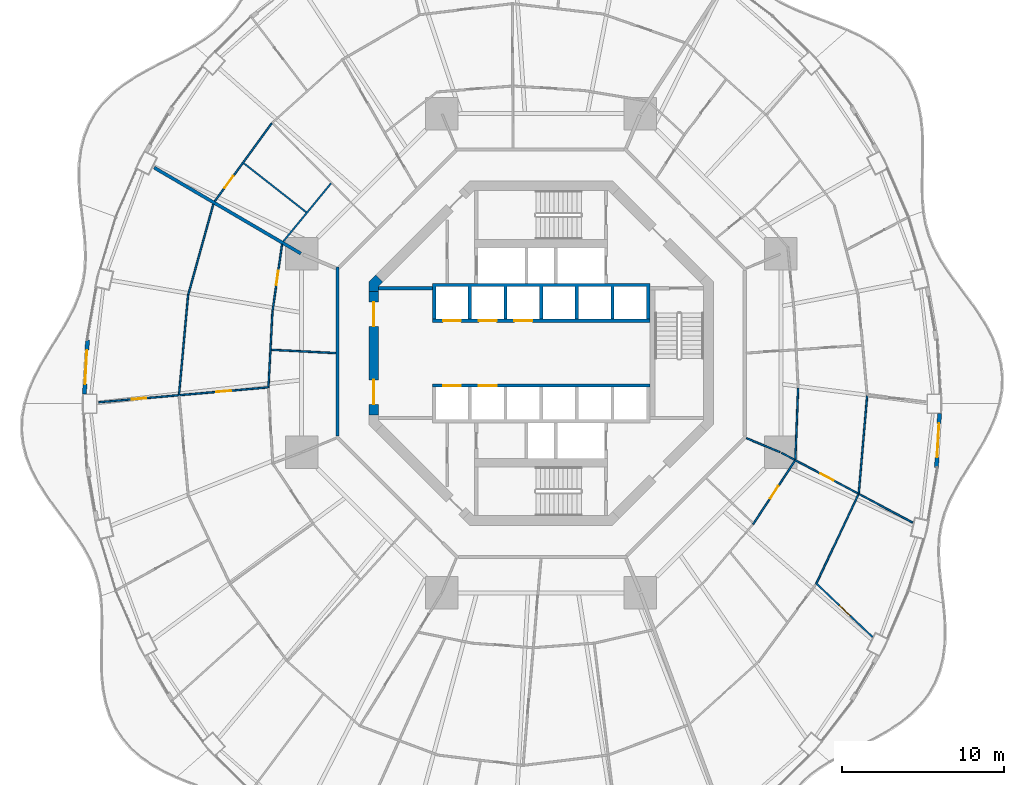
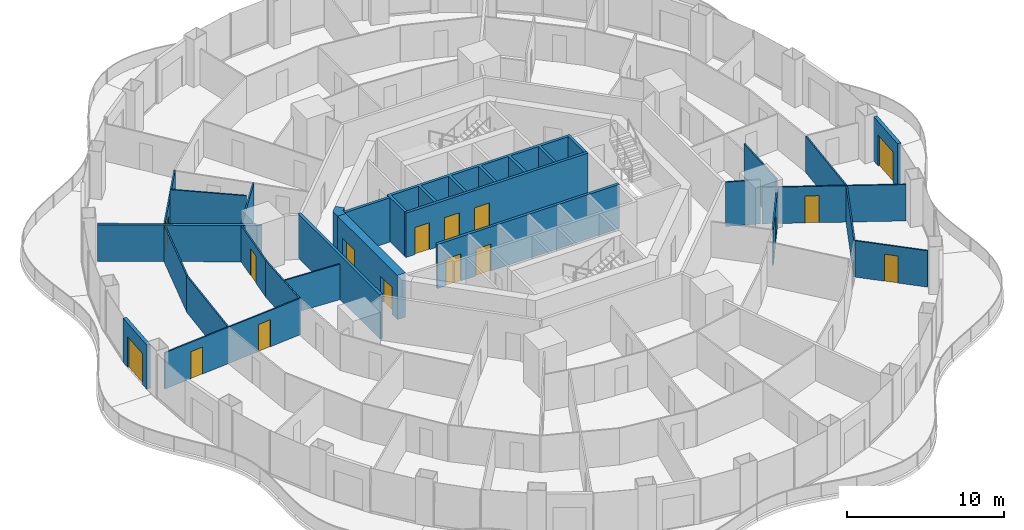
# One storey, part 14 of 20: 26 walls, 16 doors, 16 openings.
"""IFC4 building model written with IfcOpenShell, lengths in metres."""

from ifc_helpers import new_model, si_unit, direction, frame, frame_2d, origin, place, context, subcontext, project, spatial, polyline, rectangle, outline, extrude, material, layer, layer_set, type_object, element, fill, save


model = new_model("IFC4")

# Units and contexts
model_context = context("Model", 3, precision=1e-05, world=origin(), true_north=direction((0.0, 1.0)))
body_context = subcontext(model_context, "Body", "Model", "MODEL_VIEW")
ifc_project = project(units=[si_unit("LENGTHUNIT", "METRE"), si_unit("AREAUNIT", "SQUARE_METRE"), si_unit("VOLUMEUNIT", "CUBIC_METRE"), si_unit("PLANEANGLEUNIT", "RADIAN"), si_unit("MASSUNIT", "GRAM", prefix="KILO")], contexts=[model_context])

# Site, building, storey
site_placement = place(None, origin())
site = spatial("IfcSite", under=ifc_project, at=site_placement, CompositionType="ELEMENT")
building_placement = place(site_placement, origin())
building = spatial("IfcBuilding", under=site, at=building_placement, Name="Nagisa Residences", CompositionType="ELEMENT")
storey_placement = place(building_placement, frame((0.0, 0.0, 123.300048828125)))
storey = spatial("IfcBuildingStorey", under=building, at=storey_placement, Name="L30", CompositionType="ELEMENT", Elevation=123.300048828125)

# Walls
ifc_material_1 = material(Name="Gypsum board on steel studs", Category="steel")
ifc_layer_1 = layer(ifc_material_1, 0.199951171875)
ifc_layer_set_1 = layer_set([ifc_layer_1], Name="Apartment compartment wall EI60 200")
wall_type_1 = type_object("IfcWallType", Name="Apartment compartment wall EI60 200", PredefinedType="PARTITIONING", material=ifc_layer_set_1)
wall_1_placement = place(storey_placement, frame((-14.8251953125, 6.148193359375, 0.0), z_axis=(0.0, 0.0, 1.0), x_axis=(-0.862852031662, 0.505456597006, 0.0)))
element("IfcWall", 1, at=wall_1_placement, inside=storey, type_object=wall_type_1, Name="wall:L30:u03", PredefinedType="PARTITIONING", context=body_context, shape_type="SweptSolid", body=[
    extrude(rectangle(XDim=10.487060546875, YDim=0.199951171875, at=frame_2d((5.24365234375, 0.0))), origin(), (0.0, 0.0, 1.0), 2.827880859375),
])
ifc_material_2 = material(Name="Gypsum board on steel studs", Category="steel")
ifc_layer_2 = layer(ifc_material_2, 0.199951171875)
ifc_layer_set_2 = layer_set([ifc_layer_2], Name="Apartment entry wall EI60 200")
wall_type_2 = type_object("IfcWallType", Name="Apartment entry wall EI60 200", PredefinedType="PARTITIONING", material=ifc_layer_set_2)
wall_2_placement = place(storey_placement, frame((-12.564697265625, 5.304443359375, 0.0), z_axis=(0.0, 0.0, 1.0), x_axis=(0.0, -1.0, 0.0)))
element("IfcWall", 2, at=wall_2_placement, inside=storey, type_object=wall_type_2, Name="wall:L30:u10", PredefinedType="PARTITIONING", context=body_context, shape_type="SweptSolid", body=[
    extrude(rectangle(XDim=10.408935546875, YDim=0.199951171875, at=frame_2d((5.20458984375, 0.0))), origin(), (0.0, 0.0, 1.0), 3.43994140625),
])
ifc_material_3 = material(Name="Gypsum board on steel studs", Category="steel")
ifc_layer_3 = layer(ifc_material_3, 0.10009765625)
ifc_layer_set_3 = layer_set([ifc_layer_3], Name="Apartment partition 100")
wall_type_3 = type_object("IfcWallType", Name="Apartment partition 100", PredefinedType="PARTITIONING", material=ifc_layer_set_3)
wall_3_placement = place(storey_placement, frame((15.848876953125, -2.158203125, 0.0), z_axis=(0.0, 0.0, 1.0), x_axis=(-0.038390448414, -0.999262815014, 0.0)))
element("IfcWall", 3, at=wall_3_placement, inside=storey, type_object=wall_type_3, Name="wall:L30:u15", PredefinedType="PARTITIONING", context=body_context, shape_type="SweptSolid", body=[
    extrude(rectangle(XDim=4.394287109375, YDim=0.10009765625, at=frame_2d((2.197265625, 0.0))), origin(), (0.0, 0.0, 1.0), 3.43994140625),
])
wall_4_placement = place(storey_placement, frame((20.10595703125, -2.64208984375, 0.0), z_axis=(0.0, 0.0, 1.0), x_axis=(-0.085672025822, -0.996323393277, 0.0)))
element("IfcWall", 4, at=wall_4_placement, inside=storey, type_object=wall_type_3, Name="wall:L30:u18", PredefinedType="PARTITIONING", context=body_context, shape_type="SweptSolid", body=[
    extrude(rectangle(XDim=6.007080078125, YDim=0.10009765625, at=frame_2d((3.00341796875, 0.0))), origin(), (0.0, 0.0, 1.0), 2.827880859375),
])
wall_5_placement = place(storey_placement, frame((-12.965087890625, 10.474609375, 0.0), z_axis=(0.0, 0.0, 1.0), x_axis=(-0.634943961338, -0.772558195841, 0.0)))
element("IfcWall", 5, at=wall_5_placement, inside=storey, type_object=wall_type_3, Name="wall:L30:u49", PredefinedType="PARTITIONING", context=body_context, shape_type="SweptSolid", body=[
    extrude(rectangle(XDim=4.632080078125, YDim=0.10009765625, at=frame_2d((2.31591796875, 0.0))), origin(), (0.0, 0.0, 1.0), 2.827880859375),
])

# Wall, opening, door
wall_6_placement = place(storey_placement, frame((-16.620849609375, 14.17431640625, 0.0), z_axis=(0.0, 0.0, 1.0), x_axis=(-0.590674917338, -0.806909624449, 0.0)))
wall_6 = element("IfcWall", 6, at=wall_6_placement, inside=storey, type_object=wall_type_3, Name="wall:L30:u50", PredefinedType="PARTITIONING", context=body_context, shape_type="SweptSolid", body=[
    extrude(rectangle(XDim=5.948974609375, YDim=0.10009765625, at=frame_2d((2.974609375, 0.0))), origin(), (0.0, 0.0, 1.0), 2.827880859375),
])
opening_1_placement = place(wall_6_placement, frame((4.0244140625, 0.0, 0.0)))
opening_1 = element("IfcOpeningElement", 7, at=opening_1_placement, cuts=wall_6, Name="Opening L30-U11", PredefinedType="OPENING", context=body_context, shape_type="SweptSolid", body=[
    extrude(rectangle(XDim=0.89990234375, YDim=2.10009765625, at=frame_2d((0.449951171875, 1.050048828125))), frame((0.0, 0.06005859375, 0.0), z_axis=(0.0, -1.0, 0.0), x_axis=(1.0, 0.0, 0.0)), (0.0, 0.0, 1.0), 0.1201171875),
])
ifc_material_4 = material(Name="Timber door set", Category="wood")
door_type_1 = type_object("IfcDoorType", Name="Apartment door 900x2100", OperationType="NOTDEFINED", PredefinedType="DOOR", material=ifc_material_4)
door_1_placement = place(opening_1_placement, origin())
door_1 = element("IfcDoor", 8, at=door_1_placement, inside=storey, type_object=door_type_1, Name="Door to en-suite bathroom, Apartment 30A", OperationType="SINGLE_SWING_LEFT", OverallHeight=2.10009765625, OverallWidth=0.89990234375, PredefinedType="DOOR", context=body_context, shape_type="SweptSolid", body=[
    extrude(rectangle(XDim=0.89990234375, YDim=2.10009765625, at=frame_2d((0.449951171875, 1.050048828125))), frame((0.0, 0.02490234375, 0.0), z_axis=(0.0, -1.0, 0.0), x_axis=(1.0, 0.0, 0.0)), (0.0, 0.0, 1.0), 0.050048828125),
])
fill(opening_1, door_1)

# Wall
wall_7_placement = place(storey_placement, frame((-14.490966796875, 8.69677734375, 0.0), z_axis=(0.0, 0.0, 1.0), x_axis=(-0.787139479951, 0.616775031193, 0.0)))
element("IfcWall", 9, at=wall_7_placement, inside=storey, type_object=wall_type_3, Name="wall:L30:u51", PredefinedType="PARTITIONING", context=body_context, shape_type="SweptSolid", body=[
    extrude(rectangle(XDim=4.90673828125, YDim=0.10009765625, at=frame_2d((2.453369140625, 0.0))), origin(), (0.0, 0.0, 1.0), 3.43994140625),
])

# Wall, opening, door
wall_8_placement = place(storey_placement, frame((-15.98388671875, 6.7197265625, 0.0), z_axis=(0.0, 0.0, 1.0), x_axis=(-0.140684869512, -0.990054426529, 0.0)))
wall_8 = element("IfcWall", 10, at=wall_8_placement, inside=storey, type_object=wall_type_3, Name="wall:L30:u52", PredefinedType="PARTITIONING", context=body_context, shape_type="SweptSolid", body=[
    extrude(rectangle(XDim=4.177001953125, YDim=0.10009765625, at=frame_2d((2.08837890625, 0.0))), origin(), (0.0, 0.0, 1.0), 2.827880859375),
])
opening_2_placement = place(wall_8_placement, frame((1.638427734375, 0.0, 0.0)))
opening_2 = element("IfcOpeningElement", 11, at=opening_2_placement, cuts=wall_8, Name="Opening L30-U34", PredefinedType="OPENING", context=body_context, shape_type="SweptSolid", body=[
    extrude(rectangle(XDim=0.89990234375, YDim=2.10009765625, at=frame_2d((0.449951171875, 1.050048828125))), frame((0.0, 0.06005859375, 0.0), z_axis=(0.0, -1.0, 0.0), x_axis=(1.0, 0.0, 0.0)), (0.0, 0.0, 1.0), 0.1201171875),
])
door_2_placement = place(opening_2_placement, origin())
door_2 = element("IfcDoor", 12, at=door_2_placement, inside=storey, type_object=door_type_1, Name="Door to laundry, Apartment 30B", OperationType="SINGLE_SWING_RIGHT", OverallHeight=2.10009765625, OverallWidth=0.89990234375, PredefinedType="DOOR", context=body_context, shape_type="SweptSolid", body=[
    extrude(rectangle(XDim=0.89990234375, YDim=2.10009765625, at=frame_2d((0.449951171875, 1.050048828125))), frame((0.0, 0.02490234375, 0.0), z_axis=(0.0, -1.0, 0.0), x_axis=(1.0, 0.0, 0.0)), (0.0, 0.0, 1.0), 0.050048828125),
])
fill(opening_2, door_2)

# Walls
wall_9_placement = place(storey_placement, frame((-20.220703125, 9.19677734375, 0.0), z_axis=(0.0, 0.0, 1.0), x_axis=(-0.267398009191, -0.963586168789, 0.0)))
element("IfcWall", 13, at=wall_9_placement, inside=storey, type_object=wall_type_3, Name="wall:L30:u53", PredefinedType="PARTITIONING", context=body_context, shape_type="SweptSolid", body=[
    extrude(rectangle(XDim=5.78759765625, YDim=0.10009765625, at=frame_2d((2.893798828125, 0.0))), origin(), (0.0, 0.0, 1.0), 2.827880859375),
])
wall_10_placement = place(storey_placement, frame((-16.575927734375, 2.584716796875, 0.0), z_axis=(0.0, 0.0, 1.0), x_axis=(-0.052509224895, -0.998620439056, 0.0)))
element("IfcWall", 14, at=wall_10_placement, inside=storey, type_object=wall_type_3, Name="wall:L30:u54", PredefinedType="PARTITIONING", context=body_context, shape_type="SweptSolid", body=[
    extrude(rectangle(XDim=4.6494140625, YDim=0.10009765625, at=frame_2d((2.32470703125, 0.0))), origin(), (0.0, 0.0, 1.0), 2.827880859375),
])
wall_11_placement = place(storey_placement, frame((-21.777099609375, 3.621337890625, 0.0), z_axis=(0.0, 0.0, 1.0), x_axis=(-0.090606877484, -0.995886737412, 0.0)))
element("IfcWall", 15, at=wall_11_placement, inside=storey, type_object=wall_type_3, Name="wall:L30:u55", PredefinedType="PARTITIONING", context=body_context, shape_type="SweptSolid", body=[
    extrude(rectangle(XDim=6.189208984375, YDim=0.10009765625, at=frame_2d((3.0947265625, 0.0))), origin(), (0.0, 0.0, 1.0), 2.827880859375),
])
wall_12_placement = place(storey_placement, frame((-12.66455078125, 0.005126953125, 0.0), z_axis=(0.0, 0.0, 1.0), x_axis=(-0.998672861712, 0.051502575462, 0.0)))
element("IfcWall", 16, at=wall_12_placement, inside=storey, type_object=wall_type_3, Name="wall:L30:u56", PredefinedType="PARTITIONING", context=body_context, shape_type="SweptSolid", body=[
    extrude(rectangle(XDim=3.991455078125, YDim=0.10009765625, at=frame_2d((1.99560546875, 0.0))), origin(), (0.0, 0.0, 1.0), 2.755859375),
])

# Wall, openings, doors
wall_13_placement = place(storey_placement, frame((-16.77294921875, -2.103759765625, 0.0), z_axis=(0.0, 0.0, 1.0), x_axis=(-0.996176206701, -0.087366842701, 0.0)))
wall_13 = element("IfcWall", 17, at=wall_13_placement, inside=storey, type_object=wall_type_3, Name="wall:L30:u57", PredefinedType="PARTITIONING", context=body_context, shape_type="SweptSolid", body=[
    extrude(rectangle(XDim=10.56005859375, YDim=0.10009765625, at=frame_2d((5.280029296875, 0.0))), origin(), (0.0, 0.0, 1.0), 2.827880859375),
])
opening_3_placement = place(wall_13_placement, frame((2.370361328125, 0.0, 0.0)))
opening_3 = element("IfcOpeningElement", 18, at=opening_3_placement, cuts=wall_13, Name="Opening L30-U32", PredefinedType="OPENING", context=body_context, shape_type="SweptSolid", body=[
    extrude(rectangle(XDim=0.89990234375, YDim=2.10009765625, at=frame_2d((0.449951171875, 1.050048828125))), frame((0.0, 0.06005859375, 0.0), z_axis=(0.0, -1.0, 0.0), x_axis=(1.0, 0.0, 0.0)), (0.0, 0.0, 1.0), 0.1201171875),
])
opening_4_placement = place(wall_13_placement, frame((7.62548828125, 0.0, 0.0)))
opening_4 = element("IfcOpeningElement", 19, at=opening_4_placement, cuts=wall_13, Name="Opening L30-U33", PredefinedType="OPENING", context=body_context, shape_type="SweptSolid", body=[
    extrude(rectangle(XDim=0.89990234375, YDim=2.10009765625, at=frame_2d((0.449951171875, 1.050048828125))), frame((0.0, 0.06005859375, 0.0), z_axis=(0.0, -1.0, 0.0), x_axis=(1.0, 0.0, 0.0)), (0.0, 0.0, 1.0), 0.1201171875),
])
door_3_placement = place(opening_3_placement, frame((0.89990234375, 0.0, 0.0), x_axis=(-1.0, 0.0, 0.0)))
door_3 = element("IfcDoor", 20, at=door_3_placement, inside=storey, type_object=door_type_1, Name="Door to dining room, Apartment 30B", OperationType="SINGLE_SWING_LEFT", OverallHeight=2.10009765625, OverallWidth=0.89990234375, PredefinedType="DOOR", context=body_context, shape_type="SweptSolid", body=[
    extrude(rectangle(XDim=0.89990234375, YDim=2.10009765625, at=frame_2d((0.449951171875, 1.050048828125))), frame((0.0, 0.02490234375, 0.0), z_axis=(0.0, -1.0, 0.0), x_axis=(1.0, 0.0, 0.0)), (0.0, 0.0, 1.0), 0.050048828125),
])
fill(opening_3, door_3)
door_4_placement = place(opening_4_placement, frame((0.89990234375, 0.0, 0.0), x_axis=(-1.0, 0.0, 0.0)))
door_4 = element("IfcDoor", 21, at=door_4_placement, inside=storey, type_object=door_type_1, Name="Door to family room, Apartment 30B", OperationType="SINGLE_SWING_RIGHT", OverallHeight=2.10009765625, OverallWidth=0.89990234375, PredefinedType="DOOR", context=body_context, shape_type="SweptSolid", body=[
    extrude(rectangle(XDim=0.89990234375, YDim=2.10009765625, at=frame_2d((0.449951171875, 1.050048828125))), frame((0.0, 0.02490234375, 0.0), z_axis=(0.0, -1.0, 0.0), x_axis=(1.0, 0.0, 0.0)), (0.0, 0.0, 1.0), 0.050048828125),
])
fill(opening_4, door_4)

# Wall, opening, door
wall_14_placement = place(storey_placement, frame((13.072265625, -10.550048828125, 0.0), z_axis=(0.0, 0.0, 1.0), x_axis=(0.550614843759, 0.834759422727, 0.0)))
wall_14 = element("IfcWall", 22, at=wall_14_placement, inside=storey, type_object=wall_type_3, Name="wall:L30:u92", PredefinedType="PARTITIONING", context=body_context, shape_type="SweptSolid", body=[
    extrude(rectangle(XDim=4.6826171875, YDim=0.10009765625, at=frame_2d((2.34130859375, 0.0))), origin(), (0.0, 0.0, 1.0), 2.827880859375),
])
opening_5_placement = place(wall_14_placement, frame((1.91650390625, 0.0, 0.0)))
opening_5 = element("IfcOpeningElement", 23, at=opening_5_placement, cuts=wall_14, Name="Opening L30-U51", PredefinedType="OPENING", context=body_context, shape_type="SweptSolid", body=[
    extrude(rectangle(XDim=0.89990234375, YDim=2.10009765625, at=frame_2d((0.449951171875, 1.050048828125))), frame((0.0, 0.06005859375, 0.0), z_axis=(0.0, -1.0, 0.0), x_axis=(1.0, 0.0, 0.0)), (0.0, 0.0, 1.0), 0.1201171875),
])
door_5_placement = place(opening_5_placement, origin())
door_5 = element("IfcDoor", 24, at=door_5_placement, inside=storey, type_object=door_type_1, Name="Door to laundry, Apartment 30C", OperationType="SINGLE_SWING_LEFT", OverallHeight=2.10009765625, OverallWidth=0.89990234375, PredefinedType="DOOR", context=body_context, shape_type="SweptSolid", body=[
    extrude(rectangle(XDim=0.89990234375, YDim=2.10009765625, at=frame_2d((0.449951171875, 1.050048828125))), frame((0.0, 0.02490234375, 0.0), z_axis=(0.0, -1.0, 0.0), x_axis=(1.0, 0.0, 0.0)), (0.0, 0.0, 1.0), 0.050048828125),
])
fill(opening_5, door_5)

wall_15_placement = place(storey_placement, frame((17.010009765625, -14.238037109375, 0.0), z_axis=(0.0, 0.0, 1.0), x_axis=(0.723650186498, -0.690166941821, 0.0)))
wall_15 = element("IfcWall", 25, at=wall_15_placement, inside=storey, type_object=wall_type_3, Name="wall:L30:u93", PredefinedType="PARTITIONING", context=body_context, shape_type="SweptSolid", body=[
    extrude(rectangle(XDim=4.739501953125, YDim=0.10009765625, at=frame_2d((2.36962890625, 0.0))), origin(), (0.0, 0.0, 1.0), 2.827880859375),
])
opening_6_placement = place(wall_15_placement, frame((1.919677734375, 0.0, 0.0)))
opening_6 = element("IfcOpeningElement", 26, at=opening_6_placement, cuts=wall_15, Name="Opening L30-U49", PredefinedType="OPENING", context=body_context, shape_type="SweptSolid", body=[
    extrude(rectangle(XDim=0.89990234375, YDim=2.10009765625, at=frame_2d((0.449951171875, 1.050048828125))), frame((0.0, 0.06005859375, 0.0), z_axis=(0.0, -1.0, 0.0), x_axis=(1.0, 0.0, 0.0)), (0.0, 0.0, 1.0), 0.1201171875),
])
door_6_placement = place(opening_6_placement, origin())
door_6 = element("IfcDoor", 27, at=door_6_placement, inside=storey, type_object=door_type_1, Name="Door to master bedroom, Apartment 30C", OperationType="SINGLE_SWING_LEFT", OverallHeight=2.10009765625, OverallWidth=0.89990234375, PredefinedType="DOOR", context=body_context, shape_type="SweptSolid", body=[
    extrude(rectangle(XDim=0.89990234375, YDim=2.10009765625, at=frame_2d((0.449951171875, 1.050048828125))), frame((0.0, 0.02490234375, 0.0), z_axis=(0.0, -1.0, 0.0), x_axis=(1.0, 0.0, 0.0)), (0.0, 0.0, 1.0), 0.050048828125),
])
fill(opening_6, door_6)

# Walls
wall_16_placement = place(storey_placement, frame((16.95263671875, -14.24853515625, 0.0), z_axis=(0.0, 0.0, 1.0), x_axis=(0.427456178439, 0.904036069808, 0.0)))
element("IfcWall", 28, at=wall_16_placement, inside=storey, type_object=wall_type_3, Name="wall:L30:u94", PredefinedType="PARTITIONING", context=body_context, shape_type="SweptSolid", body=[
    extrude(rectangle(XDim=6.113037109375, YDim=0.10009765625, at=frame_2d((3.056640625, 0.0))), origin(), (0.0, 0.0, 1.0), 2.827880859375),
])
wall_17_placement = place(storey_placement, frame((12.6572265625, -5.24267578125, 0.0), z_axis=(0.0, 0.0, 1.0), x_axis=(0.923864733477, -0.382719158442, 0.0)))
element("IfcWall", 29, at=wall_17_placement, inside=storey, type_object=wall_type_3, Name="wall:L30:u95", PredefinedType="PARTITIONING", context=body_context, shape_type="SweptSolid", body=[
    extrude(rectangle(XDim=2.25, YDim=0.10009765625, at=frame_2d((1.125, 0.0))), origin(), (0.0, 0.0, 1.0), 3.43994140625),
])

# Wall, opening, door
wall_18_placement = place(storey_placement, frame((14.826171875, -6.146484375, 0.0), z_axis=(0.0, 0.0, 1.0), x_axis=(0.883012998471, -0.469348532044, 0.0)))
wall_18 = element("IfcWall", 30, at=wall_18_placement, inside=storey, type_object=wall_type_3, Name="wall:L30:u96", PredefinedType="PARTITIONING", context=body_context, shape_type="SweptSolid", body=[
    extrude(rectangle(XDim=9.172119140625, YDim=0.10009765625, at=frame_2d((4.5859375, 0.0))), origin(), (0.0, 0.0, 1.0), 2.827880859375),
])
opening_7_placement = place(wall_18_placement, frame((2.728271484375, 0.0, 0.0)))
opening_7 = element("IfcOpeningElement", 31, at=opening_7_placement, cuts=wall_18, Name="Opening L30-U47", PredefinedType="OPENING", context=body_context, shape_type="SweptSolid", body=[
    extrude(rectangle(XDim=0.89990234375, YDim=2.10009765625, at=frame_2d((0.449951171875, 1.050048828125))), frame((0.0, 0.06005859375, 0.0), z_axis=(0.0, -1.0, 0.0), x_axis=(1.0, 0.0, 0.0)), (0.0, 0.0, 1.0), 0.1201171875),
])
door_7_placement = place(opening_7_placement, frame((0.89990234375, 0.0, 0.0), x_axis=(-1.0, 0.0, 0.0)))
door_7 = element("IfcDoor", 32, at=door_7_placement, inside=storey, type_object=door_type_1, Name="Door to kitchen, Apartment 30C", OperationType="SINGLE_SWING_RIGHT", OverallHeight=2.10009765625, OverallWidth=0.89990234375, PredefinedType="DOOR", context=body_context, shape_type="SweptSolid", body=[
    extrude(rectangle(XDim=0.89990234375, YDim=2.10009765625, at=frame_2d((0.449951171875, 1.050048828125))), frame((0.0, 0.02490234375, 0.0), z_axis=(0.0, -1.0, 0.0), x_axis=(1.0, 0.0, 0.0)), (0.0, 0.0, 1.0), 0.050048828125),
])
fill(opening_7, door_7)

ifc_material_5 = material(Name="Precast concrete C40/50", Category="concrete")
ifc_layer_4 = layer(ifc_material_5, 0.25)
ifc_layer_set_4 = layer_set([ifc_layer_4], Name="BALCONY DOOR WALL 250")
wall_type_4 = type_object("IfcWallType", Name="BALCONY DOOR WALL 250", PredefinedType="SOLIDWALL", material=ifc_layer_set_4)
wall_19_placement = place(storey_placement, frame((-28.17578125, -2.52587890625, 0.0), z_axis=(0.0, 0.0, 1.0), x_axis=(0.057537829427, 0.998343326809, 0.0)))
wall_19 = element("IfcWall", 33, at=wall_19_placement, inside=storey, type_object=wall_type_4, Name="wall:L30:bay23", PredefinedType="SOLIDWALL", context=body_context, shape_type="SweptSolid", body=[
    extrude(rectangle(XDim=3.347900390625, YDim=0.25, at=frame_2d((1.673828125, 0.0))), origin(), (0.0, 0.0, 1.0), 3.43994140625),
])
opening_8_placement = place(wall_19_placement, frame((0.623779296875, 0.0, 0.0)))
opening_8 = element("IfcOpeningElement", 34, at=opening_8_placement, cuts=wall_19, Name="Opening BD-L30-08", PredefinedType="OPENING", context=body_context, shape_type="SweptSolid", body=[
    extrude(rectangle(XDim=2.10009765625, YDim=2.39990234375, at=frame_2d((1.050048828125, 1.199951171875))), frame((0.0, 0.135009765625, 0.0), z_axis=(0.0, -1.0, 0.0), x_axis=(1.0, 0.0, 0.0)), (0.0, 0.0, 1.0), 0.27001953125),
])
ifc_material_6 = material(Name="Aluminium and clear glass", Category="aluminium")
door_type_2 = type_object("IfcDoorType", Name="BALCONY SLIDING DOOR 2100x2400", OperationType="SLIDING_TO_LEFT", PredefinedType="DOOR", material=ifc_material_6)
door_8_placement = place(opening_8_placement, origin())
door_8 = element("IfcDoor", 35, at=door_8_placement, inside=storey, type_object=door_type_2, Name="door:L30:bay23", OperationType="SLIDING_TO_LEFT", OverallHeight=2.39990234375, OverallWidth=2.10009765625, PredefinedType="DOOR", context=body_context, shape_type="SweptSolid", body=[
    extrude(rectangle(XDim=2.10009765625, YDim=2.39990234375, at=frame_2d((1.050048828125, 1.199951171875))), frame((0.0, 0.02490234375, 0.0), z_axis=(0.0, -1.0, 0.0), x_axis=(1.0, 0.0, 0.0)), (0.0, 0.0, 1.0), 0.050048828125),
])
fill(opening_8, door_8)

wall_20_placement = place(storey_placement, frame((24.57568359375, -3.70947265625, 0.0), z_axis=(0.0, 0.0, 1.0), x_axis=(-0.05746514539, -0.998347513176, 0.0)))
wall_20 = element("IfcWall", 36, at=wall_20_placement, inside=storey, type_object=wall_type_4, Name="wall:L30:bay47", PredefinedType="SOLIDWALL", context=body_context, shape_type="SweptSolid", body=[
    extrude(rectangle(XDim=3.347900390625, YDim=0.25, at=frame_2d((1.673828125, 0.0))), origin(), (0.0, 0.0, 1.0), 3.43994140625),
])
opening_9_placement = place(wall_20_placement, frame((0.623779296875, 0.0, 0.0)))
opening_9 = element("IfcOpeningElement", 37, at=opening_9_placement, cuts=wall_20, Name="Opening BD-L30-16", PredefinedType="OPENING", context=body_context, shape_type="SweptSolid", body=[
    extrude(rectangle(XDim=2.10009765625, YDim=2.39990234375, at=frame_2d((1.050048828125, 1.199951171875))), frame((0.0, 0.135009765625, 0.0), z_axis=(0.0, -1.0, 0.0), x_axis=(1.0, 0.0, 0.0)), (0.0, 0.0, 1.0), 0.27001953125),
])
door_9_placement = place(opening_9_placement, origin())
door_9 = element("IfcDoor", 38, at=door_9_placement, inside=storey, type_object=door_type_2, Name="door:L30:bay47", OperationType="SLIDING_TO_LEFT", OverallHeight=2.39990234375, OverallWidth=2.10009765625, PredefinedType="DOOR", context=body_context, shape_type="SweptSolid", body=[
    extrude(rectangle(XDim=2.10009765625, YDim=2.39990234375, at=frame_2d((1.050048828125, 1.199951171875))), frame((0.0, 0.02490234375, 0.0), z_axis=(0.0, -1.0, 0.0), x_axis=(1.0, 0.0, 0.0)), (0.0, 0.0, 1.0), 0.050048828125),
])
fill(opening_9, door_9)

# Wall
ifc_material_7 = material(Name="Gypsum board on steel studs", Category="steel")
ifc_layer_5 = layer(ifc_material_7, 0.199951171875)
ifc_layer_set_5 = layer_set([ifc_layer_5], Name="Core partition 200")
wall_type_5 = type_object("IfcWallType", Name="Core partition 200", PredefinedType="PARTITIONING", material=ifc_layer_set_5)
wall_21_placement = place(storey_placement, frame((-10.024658203125, 4.0, 0.0), z_axis=(0.0, 0.0, 1.0), x_axis=(1.0, 0.0, 0.0)))
element("IfcWall", 39, at=wall_21_placement, inside=storey, type_object=wall_type_5, Name="wall:L30:PNW", PredefinedType="PARTITIONING", context=body_context, shape_type="SweptSolid", body=[
    extrude(rectangle(XDim=3.32470703125, YDim=0.199951171875, at=frame_2d((1.662353515625, 0.0))), origin(), (0.0, 0.0, 1.0), 3.43994140625),
])

# Wall, openings, doors
ifc_material_8 = material(Name="Concrete C60", Category="concrete")
ifc_layer_6 = layer(ifc_material_8, 0.60009765625)
ifc_layer_set_6 = layer_set([ifc_layer_6], Name="Core shear wall 600")
wall_type_6 = type_object("IfcWallType", Name="Core shear wall 600", PredefinedType="SHEAR", material=ifc_layer_set_6)
wall_22_placement = place(storey_placement, frame((-10.32470703125, 3.80078125, 0.0), z_axis=(0.0, 0.0, 1.0), x_axis=(0.0, -1.0, 0.0)))
wall_22 = element("IfcWall", 40, at=wall_22_placement, inside=storey, type_object=wall_type_6, Name="wall:L30:core:flat4", PredefinedType="SHEAR", context=body_context, shape_type="SweptSolid", body=[
    extrude(rectangle(XDim=7.6015625, YDim=0.60009765625, at=frame_2d((3.80078125, 0.0))), origin(), (0.0, 0.0, 1.0), 3.43994140625),
])
opening_10_placement = place(wall_22_placement, frame((0.65087890625, 0.0, 0.0)))
opening_10 = element("IfcOpeningElement", 41, at=opening_10_placement, cuts=wall_22, Name="Opening L30-C17", PredefinedType="OPENING", context=body_context, shape_type="SweptSolid", body=[
    extrude(rectangle(XDim=1.5, YDim=2.10009765625, at=frame_2d((0.75, 1.050048828125))), frame((0.0, 0.31005859375, 0.0), z_axis=(0.0, -1.0, 0.0), x_axis=(1.0, 0.0, 0.0)), (0.0, 0.0, 1.0), 0.6201171875),
])
opening_11_placement = place(wall_22_placement, frame((5.450927734375, 0.0, 0.0)))
opening_11 = element("IfcOpeningElement", 42, at=opening_11_placement, cuts=wall_22, Name="Opening L30-C18", PredefinedType="OPENING", context=body_context, shape_type="SweptSolid", body=[
    extrude(rectangle(XDim=1.5, YDim=2.10009765625, at=frame_2d((0.75, 1.050048828125))), frame((0.0, 0.31005859375, 0.0), z_axis=(0.0, -1.0, 0.0), x_axis=(1.0, 0.0, 0.0)), (0.0, 0.0, 1.0), 0.6201171875),
])
ifc_material_9 = material(Name="Steel fire door", Category="steel")
door_type_3 = type_object("IfcDoorType", Name="Fire door EI60 1500x2100 double door single swing", OperationType="DOUBLE_DOOR_SINGLE_SWING", PredefinedType="DOOR", material=ifc_material_9)
door_10_placement = place(opening_10_placement, origin())
door_10 = element("IfcDoor", 43, at=door_10_placement, inside=storey, type_object=door_type_3, Name="Lift lobby door L30 1", OperationType="DOUBLE_DOOR_SINGLE_SWING", OverallHeight=2.10009765625, OverallWidth=1.5, PredefinedType="DOOR", context=body_context, shape_type="SweptSolid", body=[
    extrude(rectangle(XDim=1.5, YDim=2.10009765625, at=frame_2d((0.75, 1.050048828125))), frame((0.0, 0.02490234375, 0.0), z_axis=(0.0, -1.0, 0.0), x_axis=(1.0, 0.0, 0.0)), (0.0, 0.0, 1.0), 0.050048828125),
])
fill(opening_10, door_10)
door_11_placement = place(opening_11_placement, origin())
door_11 = element("IfcDoor", 44, at=door_11_placement, inside=storey, type_object=door_type_3, Name="Lift lobby door L30 2", OperationType="DOUBLE_DOOR_SINGLE_SWING", OverallHeight=2.10009765625, OverallWidth=1.5, PredefinedType="DOOR", context=body_context, shape_type="SweptSolid", body=[
    extrude(rectangle(XDim=1.5, YDim=2.10009765625, at=frame_2d((0.75, 1.050048828125))), frame((0.0, 0.02490234375, 0.0), z_axis=(0.0, -1.0, 0.0), x_axis=(1.0, 0.0, 0.0)), (0.0, 0.0, 1.0), 0.050048828125),
])
fill(opening_11, door_11)

# Wall
wall_23_placement = place(storey_placement, origin())
element("IfcWall", 45, at=wall_23_placement, inside=storey, type_object=wall_type_6, Name="wall:L30:core:pier3", PredefinedType="SHEAR", context=body_context, shape_type="SweptSolid", body=[
    extrude(outline(polyline([(-10.200439453125, 4.8251953125), (-9.776123046875, 4.40087890625), (-10.024658203125, 4.15234375), (-10.024658203125, 3.80078125), (-10.62451171875, 3.80078125), (-10.62451171875, 4.40087890625), (-10.200439453125, 4.8251953125)])), origin(), (0.0, 0.0, 1.0), 3.43994140625),
])

# Wall, openings, doors
ifc_material_10 = material(Name="Concrete C60", Category="concrete")
ifc_layer_7 = layer(ifc_material_10, 0.199951171875)
ifc_layer_set_7 = layer_set([ifc_layer_7], Name="Lift shaft wall 200")
wall_type_7 = type_object("IfcWallType", Name="Lift shaft wall 200", PredefinedType="SOLIDWALL", material=ifc_layer_set_7)
wall_24_placement = place(storey_placement, frame((-6.699951171875, 2.0, 0.0), z_axis=(0.0, 0.0, 1.0), x_axis=(1.0, 0.0, 0.0)))
wall_24 = element("IfcWall", 46, at=wall_24_placement, inside=storey, type_object=wall_type_7, Name="wall:L30:Nfront", PredefinedType="SOLIDWALL", context=body_context, shape_type="SweptSolid", body=[
    extrude(rectangle(XDim=13.39990234375, YDim=0.199951171875, at=frame_2d((6.699951171875, 0.0))), origin(), (0.0, 0.0, 1.0), 3.43994140625),
])
opening_12_placement = place(wall_24_placement, frame((0.64990234375, 0.0, 0.0)))
opening_12 = element("IfcOpeningElement", 47, at=opening_12_placement, cuts=wall_24, Name="Opening L30-C01", PredefinedType="OPENING", context=body_context, shape_type="SweptSolid", body=[
    extrude(rectangle(XDim=1.10009765625, YDim=2.10009765625, at=frame_2d((0.550048828125, 1.050048828125))), frame((0.0, 0.10986328125, 0.0), z_axis=(0.0, -1.0, 0.0), x_axis=(1.0, 0.0, 0.0)), (0.0, 0.0, 1.0), 0.219970703125),
])
opening_13_placement = place(wall_24_placement, frame((2.85009765625, 0.0, 0.0)))
opening_13 = element("IfcOpeningElement", 48, at=opening_13_placement, cuts=wall_24, Name="Opening L30-C02", PredefinedType="OPENING", context=body_context, shape_type="SweptSolid", body=[
    extrude(rectangle(XDim=1.10009765625, YDim=2.10009765625, at=frame_2d((0.550048828125, 1.050048828125))), frame((0.0, 0.10986328125, 0.0), z_axis=(0.0, -1.0, 0.0), x_axis=(1.0, 0.0, 0.0)), (0.0, 0.0, 1.0), 0.219970703125),
])
opening_14_placement = place(wall_24_placement, frame((5.050048828125, 0.0, 0.0)))
opening_14 = element("IfcOpeningElement", 49, at=opening_14_placement, cuts=wall_24, Name="Opening L30-C03", PredefinedType="OPENING", context=body_context, shape_type="SweptSolid", body=[
    extrude(rectangle(XDim=1.10009765625, YDim=2.10009765625, at=frame_2d((0.550048828125, 1.050048828125))), frame((0.0, 0.10986328125, 0.0), z_axis=(0.0, -1.0, 0.0), x_axis=(1.0, 0.0, 0.0)), (0.0, 0.0, 1.0), 0.219970703125),
])
ifc_material_11 = material(Name="Stainless steel", Category="steel")
door_type_4 = type_object("IfcDoorType", Name="Lift landing door 1100x2100", OperationType="DOUBLE_DOOR_SLIDING", PredefinedType="DOOR", material=ifc_material_11)
door_12_placement = place(opening_12_placement, origin())
door_12 = element("IfcDoor", 50, at=door_12_placement, inside=storey, type_object=door_type_4, Name="Landing door A1 L30", OperationType="DOUBLE_DOOR_SLIDING", OverallHeight=2.10009765625, OverallWidth=1.10009765625, PredefinedType="DOOR", context=body_context, shape_type="SweptSolid", body=[
    extrude(rectangle(XDim=1.10009765625, YDim=2.10009765625, at=frame_2d((0.550048828125, 1.050048828125))), frame((0.0, 0.02490234375, 0.0), z_axis=(0.0, -1.0, 0.0), x_axis=(1.0, 0.0, 0.0)), (0.0, 0.0, 1.0), 0.050048828125),
])
fill(opening_12, door_12)
door_13_placement = place(opening_13_placement, origin())
door_13 = element("IfcDoor", 51, at=door_13_placement, inside=storey, type_object=door_type_4, Name="Landing door A2 L30", OperationType="DOUBLE_DOOR_SLIDING", OverallHeight=2.10009765625, OverallWidth=1.10009765625, PredefinedType="DOOR", context=body_context, shape_type="SweptSolid", body=[
    extrude(rectangle(XDim=1.10009765625, YDim=2.10009765625, at=frame_2d((0.550048828125, 1.050048828125))), frame((0.0, 0.02490234375, 0.0), z_axis=(0.0, -1.0, 0.0), x_axis=(1.0, 0.0, 0.0)), (0.0, 0.0, 1.0), 0.050048828125),
])
fill(opening_13, door_13)
door_14_placement = place(opening_14_placement, origin())
door_14 = element("IfcDoor", 52, at=door_14_placement, inside=storey, type_object=door_type_4, Name="Landing door A3 L30", OperationType="DOUBLE_DOOR_SLIDING", OverallHeight=2.10009765625, OverallWidth=1.10009765625, PredefinedType="DOOR", context=body_context, shape_type="SweptSolid", body=[
    extrude(rectangle(XDim=1.10009765625, YDim=2.10009765625, at=frame_2d((0.550048828125, 1.050048828125))), frame((0.0, 0.02490234375, 0.0), z_axis=(0.0, -1.0, 0.0), x_axis=(1.0, 0.0, 0.0)), (0.0, 0.0, 1.0), 0.050048828125),
])
fill(opening_14, door_14)

wall_25_placement = place(storey_placement, frame((-6.699951171875, -2.0, 0.0), z_axis=(0.0, 0.0, 1.0), x_axis=(1.0, 0.0, 0.0)))
wall_25 = element("IfcWall", 53, at=wall_25_placement, inside=storey, type_object=wall_type_7, Name="wall:L30:Sfront", PredefinedType="SOLIDWALL", context=body_context, shape_type="SweptSolid", body=[
    extrude(rectangle(XDim=13.39990234375, YDim=0.199951171875, at=frame_2d((6.699951171875, 0.0))), origin(), (0.0, 0.0, 1.0), 3.43994140625),
])
opening_15_placement = place(wall_25_placement, frame((0.64990234375, 0.0, 0.0)))
opening_15 = element("IfcOpeningElement", 54, at=opening_15_placement, cuts=wall_25, Name="Opening L30-C04", PredefinedType="OPENING", context=body_context, shape_type="SweptSolid", body=[
    extrude(rectangle(XDim=1.10009765625, YDim=2.10009765625, at=frame_2d((0.550048828125, 1.050048828125))), frame((0.0, 0.10986328125, 0.0), z_axis=(0.0, -1.0, 0.0), x_axis=(1.0, 0.0, 0.0)), (0.0, 0.0, 1.0), 0.219970703125),
])
opening_16_placement = place(wall_25_placement, frame((2.85009765625, 0.0, 0.0)))
opening_16 = element("IfcOpeningElement", 55, at=opening_16_placement, cuts=wall_25, Name="Opening L30-C05", PredefinedType="OPENING", context=body_context, shape_type="SweptSolid", body=[
    extrude(rectangle(XDim=1.10009765625, YDim=2.10009765625, at=frame_2d((0.550048828125, 1.050048828125))), frame((0.0, 0.10986328125, 0.0), z_axis=(0.0, -1.0, 0.0), x_axis=(1.0, 0.0, 0.0)), (0.0, 0.0, 1.0), 0.219970703125),
])
door_15_placement = place(opening_15_placement, origin())
door_15 = element("IfcDoor", 56, at=door_15_placement, inside=storey, type_object=door_type_4, Name="Landing door A4 L30", OperationType="DOUBLE_DOOR_SLIDING", OverallHeight=2.10009765625, OverallWidth=1.10009765625, PredefinedType="DOOR", context=body_context, shape_type="SweptSolid", body=[
    extrude(rectangle(XDim=1.10009765625, YDim=2.10009765625, at=frame_2d((0.550048828125, 1.050048828125))), frame((0.0, 0.02490234375, 0.0), z_axis=(0.0, -1.0, 0.0), x_axis=(1.0, 0.0, 0.0)), (0.0, 0.0, 1.0), 0.050048828125),
])
fill(opening_15, door_15)
door_16_placement = place(opening_16_placement, origin())
door_16 = element("IfcDoor", 57, at=door_16_placement, inside=storey, type_object=door_type_4, Name="Landing door A5 L30", OperationType="DOUBLE_DOOR_SLIDING", OverallHeight=2.10009765625, OverallWidth=1.10009765625, PredefinedType="DOOR", context=body_context, shape_type="SweptSolid", body=[
    extrude(rectangle(XDim=1.10009765625, YDim=2.10009765625, at=frame_2d((0.550048828125, 1.050048828125))), frame((0.0, 0.02490234375, 0.0), z_axis=(0.0, -1.0, 0.0), x_axis=(1.0, 0.0, 0.0)), (0.0, 0.0, 1.0), 0.050048828125),
])
fill(opening_16, door_16)

# Wall
wall_26_placement = place(storey_placement, origin())
element("IfcWall", 58, at=wall_26_placement, inside=storey, type_object=wall_type_7, Name="wall:L30:Nback", PredefinedType="SOLIDWALL", context=body_context, shape_type="SweptSolid", body=[
    extrude(outline(polyline([(-6.5, 2.10009765625), (-6.699951171875, 2.10009765625), (-6.699951171875, 4.300048828125), (6.699951171875, 4.300048828125), (6.699951171875, 2.10009765625), (6.5, 2.10009765625), (6.5, 4.10009765625), (4.5, 4.10009765625), (4.5, 2.10009765625), (4.300048828125, 2.10009765625), (4.300048828125, 4.10009765625), (2.300048828125, 4.10009765625), (2.300048828125, 2.10009765625), (2.10009765625, 2.10009765625), (2.10009765625, 4.10009765625), (0.10009765625, 4.10009765625), (0.10009765625, 2.10009765625), (-0.10009765625, 2.10009765625), (-0.10009765625, 4.10009765625), (-2.10009765625, 4.10009765625), (-2.10009765625, 2.10009765625), (-2.300048828125, 2.10009765625), (-2.300048828125, 4.10009765625), (-4.300048828125, 4.10009765625), (-4.300048828125, 2.10009765625), (-4.5, 2.10009765625), (-4.5, 4.10009765625), (-6.5, 4.10009765625), (-6.5, 2.10009765625)])), origin(), (0.0, 0.0, 1.0), 3.43994140625),
])

save(model, "model.ifc")
